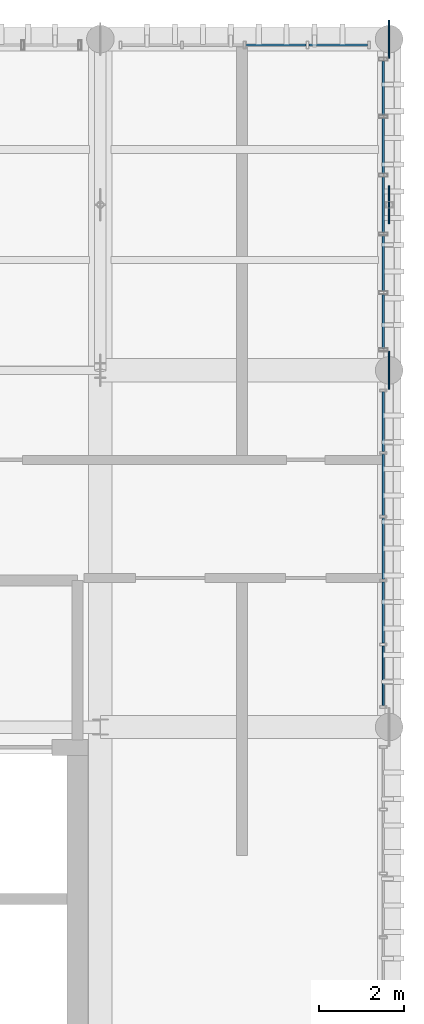
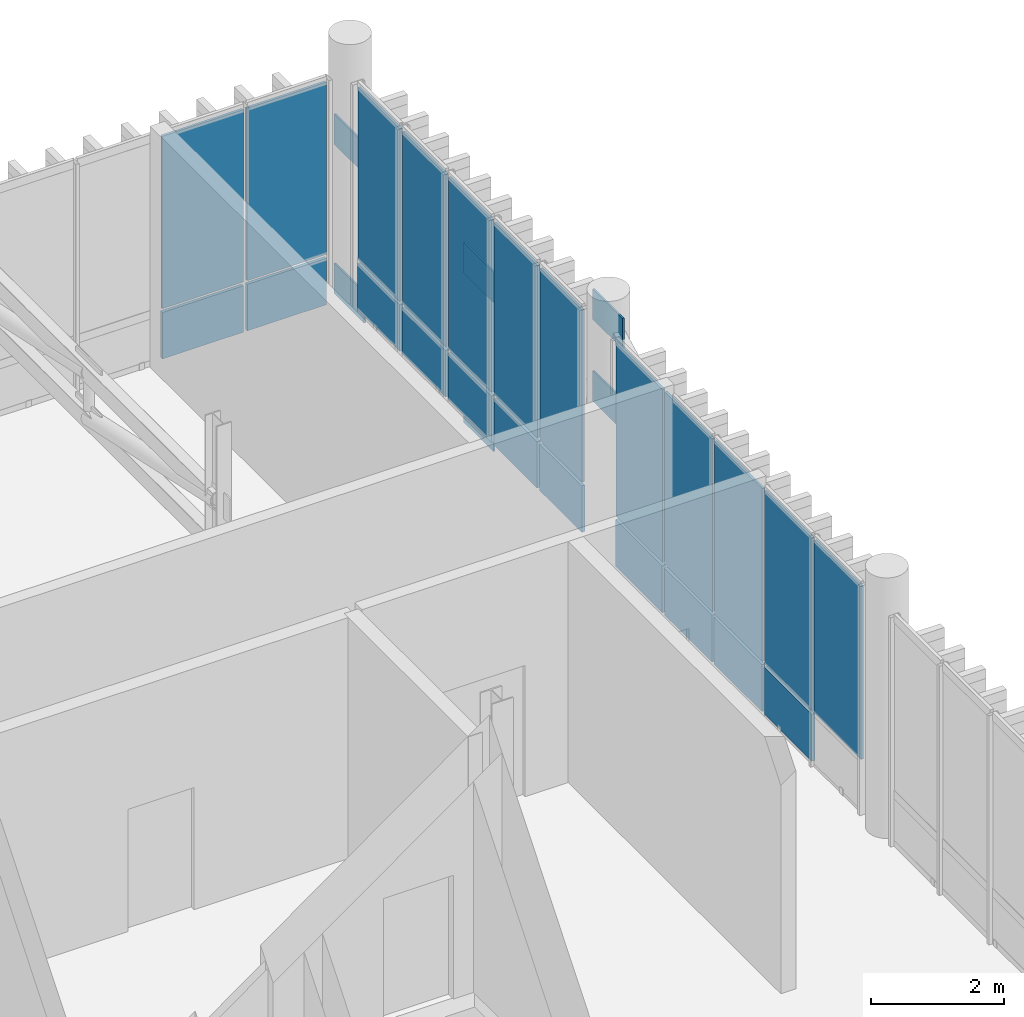
# One storey, part 67 of 81: 29 plates, 3 elements without a shape of their own.
"""IFC4 building model written with IfcOpenShell, lengths in metres."""

from ifc_helpers import new_model, si_unit, direction, frame, frame_2d, origin_with_axes, origin_2d_with_axis, place, context, subcontext, project, spatial, rectangle, extrude, material, layer, layer_set, type_object, element, aggregate, save


model = new_model("IFC4")

# Units and contexts
model_context = context("Model", 3, precision=1e-05, world=origin_with_axes(), true_north=direction((0.0, 1.0)))
body_context = subcontext(model_context, "Body", "Model", "MODEL_VIEW")
ifc_project = project(units=[si_unit("LENGTHUNIT", "METRE"), si_unit("AREAUNIT", "SQUARE_METRE"), si_unit("VOLUMEUNIT", "CUBIC_METRE"), si_unit("PLANEANGLEUNIT", "RADIAN"), si_unit("MASSUNIT", "GRAM", prefix="KILO"), si_unit("THERMODYNAMICTEMPERATUREUNIT", "KELVIN")], contexts=[model_context])

# Site, building, storey
site_placement = place(None, origin_with_axes())
site = spatial("IfcSite", under=ifc_project, at=site_placement, CompositionType="ELEMENT")
building_placement = place(site_placement, origin_with_axes())
building = spatial("IfcBuilding", under=site, at=building_placement, Name="Montbau Bow Law Courts", CompositionType="ELEMENT")
storey_placement = place(building_placement, frame((0.0, 0.0, 24.9), z_axis=(0.0, 0.0, 1.0), x_axis=(1.0, 0.0, 0.0)))
storey = spatial("IfcBuildingStorey", under=building, at=storey_placement, Name="L05", CompositionType="ELEMENT", Elevation=24.9)

# Curtain wall, plates
ifc_material_1 = material(Name="Thermally Broken Extruded Aluminium AA 6063-T6", Category="aluminium")
curtain_wall_type = type_object("IfcCurtainWallType", Name="CW-SLT-02", PredefinedType="NOTDEFINED", material=ifc_material_1)
curtain_wall_1_placement = place(None, frame((163.04, 110.86, 24.9), z_axis=(0.0, 0.0, 1.0), x_axis=(1.0, 0.0, 0.0)))
curtain_wall_1 = element("IfcCurtainWall", 1, at=curtain_wall_1_placement, inside=storey, type_object=curtain_wall_type, Name="CW-L05-340:cw_0340", PredefinedType="NOTDEFINED")
ifc_material_2 = material(Name="Triple-Glazed Low-E Argon Insulating Glass Unit", Category="glass")
ifc_layer_1 = layer(ifc_material_2, 0.044, Name="Curtain Panel", Category="glass")
ifc_layer_set_1 = layer_set([ifc_layer_1], Name="Triple-Glazed Low-E Argon Insulating Glass Unit")
plate_type_1 = type_object("IfcPlateType", Name="PL-CWP-01", PredefinedType="CURTAIN_PANEL", material=ifc_layer_set_1)
plate_1_placement = place(None, frame((166.034, 110.86, 25.882), z_axis=(0.0, -1.0, 0.0), x_axis=(1.0, 0.0, 0.0)))
plate_1 = element("IfcPlate", 2, at=plate_1_placement, type_object=plate_type_1, Name="CW-L05-340-P03-2:cw_0340_P03_2", PredefinedType="CURTAIN_PANEL", context=body_context, shape_type="SweptSolid", body=[
    extrude(rectangle(XDim=1.412, YDim=3.176, at=frame_2d((0.706, 1.588), x_axis=(1.0, 0.0))), frame((0.0, 0.0, -0.022), z_axis=(0.0, 0.0, 1.0), x_axis=(1.0, 0.0, 0.0)), (0.0, 0.0, 1.0), 0.044),
])
plate_2_placement = place(None, frame((167.514, 110.86, 25.882), z_axis=(0.0, -1.0, 0.0), x_axis=(1.0, 0.0, 0.0)))
plate_2 = element("IfcPlate", 3, at=plate_2_placement, type_object=plate_type_1, Name="CW-L05-340-P04-2:cw_0340_P04_2", PredefinedType="CURTAIN_PANEL", context=body_context, shape_type="SweptSolid", body=[
    extrude(rectangle(XDim=1.38, YDim=3.176, at=frame_2d((0.69, 1.588), x_axis=(1.0, 0.0))), frame((0.0, 0.0, -0.022), z_axis=(0.0, 0.0, 1.0), x_axis=(1.0, 0.0, 0.0)), (0.0, 0.0, 1.0), 0.044),
])

curtain_wall_2_placement = place(None, frame((169.26, 95.24, 24.9), z_axis=(0.0, 0.0, 1.0), x_axis=(1.0, 0.0, 0.0)))
curtain_wall_2 = element("IfcCurtainWall", 4, at=curtain_wall_2_placement, inside=storey, type_object=curtain_wall_type, Name="CW-L05-347:cw_0347", PredefinedType="NOTDEFINED")
plate_3_placement = place(None, frame((169.26, 95.302, 25.88), z_axis=(1.0, 0.0, 0.0), x_axis=(0.0, 1.0, 0.0)))
plate_3 = element("IfcPlate", 5, at=plate_3_placement, type_object=plate_type_1, Name="CW-L05-347-P01-2:cw_0347_P01_2", PredefinedType="CURTAIN_PANEL", context=body_context, shape_type="SweptSolid", body=[
    extrude(rectangle(XDim=1.41, YDim=3.184, at=frame_2d((0.705, 1.592), x_axis=(1.0, 0.0))), frame((0.0, 0.0, -0.022), z_axis=(0.0, 0.0, 1.0), x_axis=(1.0, 0.0, 0.0)), (0.0, 0.0, 1.0), 0.044),
])
plate_4_placement = place(None, frame((169.26, 96.776, 25.88), z_axis=(1.0, 0.0, 0.0), x_axis=(0.0, 1.0, 0.0)))
plate_4 = element("IfcPlate", 6, at=plate_4_placement, type_object=plate_type_1, Name="CW-L05-347-P02-2:cw_0347_P02_2", PredefinedType="CURTAIN_PANEL", context=body_context, shape_type="SweptSolid", body=[
    extrude(rectangle(XDim=1.44, YDim=3.184, at=frame_2d((0.72, 1.592), x_axis=(1.0, 0.0))), frame((0.0, 0.0, -0.022), z_axis=(0.0, 0.0, 1.0), x_axis=(1.0, 0.0, 0.0)), (0.0, 0.0, 1.0), 0.044),
])
plate_5_placement = place(None, frame((169.26, 98.28, 25.88), z_axis=(1.0, 0.0, 0.0), x_axis=(0.0, 1.0, 0.0)))
plate_5 = element("IfcPlate", 7, at=plate_5_placement, type_object=plate_type_1, Name="CW-L05-347-P03-2:cw_0347_P03_2", PredefinedType="CURTAIN_PANEL", context=body_context, shape_type="SweptSolid", body=[
    extrude(rectangle(XDim=1.44, YDim=3.184, at=frame_2d((0.72, 1.592), x_axis=(1.0, 0.0))), frame((0.0, 0.0, -0.022), z_axis=(0.0, 0.0, 1.0), x_axis=(1.0, 0.0, 0.0)), (0.0, 0.0, 1.0), 0.044),
])
plate_6_placement = place(None, frame((169.26, 99.784, 25.88), z_axis=(1.0, 0.0, 0.0), x_axis=(0.0, 1.0, 0.0)))
plate_6 = element("IfcPlate", 8, at=plate_6_placement, type_object=plate_type_1, Name="CW-L05-347-P04-2:cw_0347_P04_2", PredefinedType="CURTAIN_PANEL", context=body_context, shape_type="SweptSolid", body=[
    extrude(rectangle(XDim=1.44, YDim=3.184, at=frame_2d((0.72, 1.592), x_axis=(1.0, 0.0))), frame((0.0, 0.0, -0.022), z_axis=(0.0, 0.0, 1.0), x_axis=(1.0, 0.0, 0.0)), (0.0, 0.0, 1.0), 0.044),
])
plate_7_placement = place(None, frame((169.26, 101.288, 25.88), z_axis=(1.0, 0.0, 0.0), x_axis=(0.0, 1.0, 0.0)))
plate_7 = element("IfcPlate", 9, at=plate_7_placement, type_object=plate_type_1, Name="CW-L05-347-P05-2:cw_0347_P05_2", PredefinedType="CURTAIN_PANEL", context=body_context, shape_type="SweptSolid", body=[
    extrude(rectangle(XDim=1.41, YDim=3.184, at=frame_2d((0.705, 1.592), x_axis=(1.0, 0.0))), frame((0.0, 0.0, -0.022), z_axis=(0.0, 0.0, 1.0), x_axis=(1.0, 0.0, 0.0)), (0.0, 0.0, 1.0), 0.044),
])

curtain_wall_3_placement = place(None, frame((169.26, 103.64, 24.9), z_axis=(0.0, 0.0, 1.0), x_axis=(1.0, 0.0, 0.0)))
curtain_wall_3 = element("IfcCurtainWall", 10, at=curtain_wall_3_placement, inside=storey, type_object=curtain_wall_type, Name="CW-L05-348:cw_0348", PredefinedType="NOTDEFINED")
plate_8_placement = place(None, frame((169.26, 103.716, 25.882), z_axis=(1.0, 0.0, 0.0), x_axis=(0.0, 1.0, 0.0)))
plate_8 = element("IfcPlate", 11, at=plate_8_placement, type_object=plate_type_1, Name="CW-L05-348-P01-2:cw_0348_P01_2", PredefinedType="CURTAIN_PANEL", context=body_context, shape_type="SweptSolid", body=[
    extrude(rectangle(XDim=1.268, YDim=3.176, at=frame_2d((0.634, 1.588), x_axis=(1.0, 0.0))), frame((0.0, 0.0, -0.022), z_axis=(0.0, 0.0, 1.0), x_axis=(1.0, 0.0, 0.0)), (0.0, 0.0, 1.0), 0.044),
])
plate_9_placement = place(None, frame((169.26, 105.063, 25.882), z_axis=(1.0, 0.0, 0.0), x_axis=(0.0, 1.0, 0.0)))
plate_9 = element("IfcPlate", 12, at=plate_9_placement, type_object=plate_type_1, Name="CW-L05-348-P02-2:cw_0348_P02_2", PredefinedType="CURTAIN_PANEL", context=body_context, shape_type="SweptSolid", body=[
    extrude(rectangle(XDim=1.305, YDim=3.176, at=frame_2d((0.6525, 1.588), x_axis=(1.0, 0.0))), frame((0.0, 0.0, -0.022), z_axis=(0.0, 0.0, 1.0), x_axis=(1.0, 0.0, 0.0)), (0.0, 0.0, 1.0), 0.044),
])
plate_10_placement = place(None, frame((169.26, 106.447, 25.882), z_axis=(1.0, 0.0, 0.0), x_axis=(0.0, 1.0, 0.0)))
plate_10 = element("IfcPlate", 13, at=plate_10_placement, type_object=plate_type_1, Name="CW-L05-348-P03-2:cw_0348_P03_2", PredefinedType="CURTAIN_PANEL", context=body_context, shape_type="SweptSolid", body=[
    extrude(rectangle(XDim=1.306, YDim=3.176, at=frame_2d((0.653, 1.588), x_axis=(1.0, 0.0))), frame((0.0, 0.0, -0.022), z_axis=(0.0, 0.0, 1.0), x_axis=(1.0, 0.0, 0.0)), (0.0, 0.0, 1.0), 0.044),
])
plate_11_placement = place(None, frame((169.26, 107.831, 25.882), z_axis=(1.0, 0.0, 0.0), x_axis=(0.0, 1.0, 0.0)))
plate_11 = element("IfcPlate", 14, at=plate_11_placement, type_object=plate_type_1, Name="CW-L05-348-P04-2:cw_0348_P04_2", PredefinedType="CURTAIN_PANEL", context=body_context, shape_type="SweptSolid", body=[
    extrude(rectangle(XDim=1.306, YDim=3.176, at=frame_2d((0.653, 1.588), x_axis=(1.0, 0.0))), frame((0.0, 0.0, -0.022), z_axis=(0.0, 0.0, 1.0), x_axis=(1.0, 0.0, 0.0)), (0.0, 0.0, 1.0), 0.044),
])
plate_12_placement = place(None, frame((169.26, 109.215, 25.882), z_axis=(1.0, 0.0, 0.0), x_axis=(0.0, 1.0, 0.0)))
plate_12 = element("IfcPlate", 15, at=plate_12_placement, type_object=plate_type_1, Name="CW-L05-348-P05-2:cw_0348_P05_2", PredefinedType="CURTAIN_PANEL", context=body_context, shape_type="SweptSolid", body=[
    extrude(rectangle(XDim=1.269, YDim=3.176, at=frame_2d((0.6345, 1.588), x_axis=(1.0, 0.0))), frame((0.0, 0.0, -0.022), z_axis=(0.0, 0.0, 1.0), x_axis=(1.0, 0.0, 0.0)), (0.0, 0.0, 1.0), 0.044),
])

# Plate
ifc_material_3 = material(Name="Insulated Ceramic-Frit Spandrel Glazing Unit", Category="glass")
ifc_layer_2 = layer(ifc_material_3, 0.056, Name="Curtain Panel", Category="glass")
ifc_layer_set_2 = layer_set([ifc_layer_2], Name="Insulated Ceramic-Frit Spandrel Glazing Unit")
plate_type_2 = type_object("IfcPlateType", Name="PL-CWP-02", PredefinedType="CURTAIN_PANEL", material=ifc_layer_set_2)
plate_13_placement = place(None, frame((166.034, 110.86, 24.962), z_axis=(0.0, -1.0, 0.0), x_axis=(1.0, 0.0, 0.0)))
plate_13 = element("IfcPlate", 16, at=plate_13_placement, type_object=plate_type_2, Name="CW-L05-340-P03-1:cw_0340_P03_1", PredefinedType="CURTAIN_PANEL", context=body_context, shape_type="SweptSolid", body=[
    extrude(rectangle(XDim=1.412, YDim=0.856, at=frame_2d((0.706, 0.428), x_axis=(1.0, 0.0))), frame((0.0, 0.0, -0.028), z_axis=(0.0, 0.0, 1.0), x_axis=(1.0, 0.0, 0.0)), (0.0, 0.0, 1.0), 0.056),
])

plate_14_placement = place(None, frame((167.514, 110.86, 24.962), z_axis=(0.0, -1.0, 0.0), x_axis=(1.0, 0.0, 0.0)))
plate_14 = element("IfcPlate", 17, at=plate_14_placement, type_object=plate_type_2, Name="CW-L05-340-P04-1:cw_0340_P04_1", PredefinedType="CURTAIN_PANEL", context=body_context, shape_type="SweptSolid", body=[
    extrude(rectangle(XDim=1.38, YDim=0.856, at=frame_2d((0.69, 0.428), x_axis=(1.0, 0.0))), frame((0.0, 0.0, -0.028), z_axis=(0.0, 0.0, 1.0), x_axis=(1.0, 0.0, 0.0)), (0.0, 0.0, 1.0), 0.056),
])

aggregate(curtain_wall_1, [plate_13, plate_1, plate_14, plate_2])

plate_15_placement = place(None, frame((169.26, 96.776, 24.956), z_axis=(1.0, 0.0, 0.0), x_axis=(0.0, 1.0, 0.0)))
plate_15 = element("IfcPlate", 18, at=plate_15_placement, type_object=plate_type_2, Name="CW-L05-347-P02-1:cw_0347_P02_1", PredefinedType="CURTAIN_PANEL", context=body_context, shape_type="SweptSolid", body=[
    extrude(rectangle(XDim=1.44, YDim=0.865, at=frame_2d((0.72, 0.4325), x_axis=(1.0, 0.0))), frame((0.0, 0.0, -0.028), z_axis=(0.0, 0.0, 1.0), x_axis=(1.0, 0.0, 0.0)), (0.0, 0.0, 1.0), 0.056),
])

plate_16_placement = place(None, frame((169.26, 98.28, 24.956), z_axis=(1.0, 0.0, 0.0), x_axis=(0.0, 1.0, 0.0)))
plate_16 = element("IfcPlate", 19, at=plate_16_placement, type_object=plate_type_2, Name="CW-L05-347-P03-1:cw_0347_P03_1", PredefinedType="CURTAIN_PANEL", context=body_context, shape_type="SweptSolid", body=[
    extrude(rectangle(XDim=1.44, YDim=0.865, at=frame_2d((0.72, 0.4325), x_axis=(1.0, 0.0))), frame((0.0, 0.0, -0.028), z_axis=(0.0, 0.0, 1.0), x_axis=(1.0, 0.0, 0.0)), (0.0, 0.0, 1.0), 0.056),
])

plate_17_placement = place(None, frame((169.26, 99.784, 24.956), z_axis=(1.0, 0.0, 0.0), x_axis=(0.0, 1.0, 0.0)))
plate_17 = element("IfcPlate", 20, at=plate_17_placement, type_object=plate_type_2, Name="CW-L05-347-P04-1:cw_0347_P04_1", PredefinedType="CURTAIN_PANEL", context=body_context, shape_type="SweptSolid", body=[
    extrude(rectangle(XDim=1.44, YDim=0.865, at=frame_2d((0.72, 0.4325), x_axis=(1.0, 0.0))), frame((0.0, 0.0, -0.028), z_axis=(0.0, 0.0, 1.0), x_axis=(1.0, 0.0, 0.0)), (0.0, 0.0, 1.0), 0.056),
])

plate_18_placement = place(None, frame((169.26, 101.288, 24.956), z_axis=(1.0, 0.0, 0.0), x_axis=(0.0, 1.0, 0.0)))
plate_18 = element("IfcPlate", 21, at=plate_18_placement, type_object=plate_type_2, Name="CW-L05-347-P05-1:cw_0347_P05_1", PredefinedType="CURTAIN_PANEL", context=body_context, shape_type="SweptSolid", body=[
    extrude(rectangle(XDim=1.41, YDim=0.865, at=frame_2d((0.705, 0.4325), x_axis=(1.0, 0.0))), frame((0.0, 0.0, -0.028), z_axis=(0.0, 0.0, 1.0), x_axis=(1.0, 0.0, 0.0)), (0.0, 0.0, 1.0), 0.056),
])

aggregate(curtain_wall_2, [plate_3, plate_15, plate_4, plate_16, plate_5, plate_17, plate_6, plate_18, plate_7])

plate_19_placement = place(None, frame((169.26, 103.716, 24.962), z_axis=(1.0, 0.0, 0.0), x_axis=(0.0, 1.0, 0.0)))
plate_19 = element("IfcPlate", 22, at=plate_19_placement, type_object=plate_type_2, Name="CW-L05-348-P01-1:cw_0348_P01_1", PredefinedType="CURTAIN_PANEL", context=body_context, shape_type="SweptSolid", body=[
    extrude(rectangle(XDim=1.268, YDim=0.856, at=frame_2d((0.634, 0.428), x_axis=(1.0, 0.0))), frame((0.0, 0.0, -0.028), z_axis=(0.0, 0.0, 1.0), x_axis=(1.0, 0.0, 0.0)), (0.0, 0.0, 1.0), 0.056),
])

plate_20_placement = place(None, frame((169.26, 105.063, 24.962), z_axis=(1.0, 0.0, 0.0), x_axis=(0.0, 1.0, 0.0)))
plate_20 = element("IfcPlate", 23, at=plate_20_placement, type_object=plate_type_2, Name="CW-L05-348-P02-1:cw_0348_P02_1", PredefinedType="CURTAIN_PANEL", context=body_context, shape_type="SweptSolid", body=[
    extrude(rectangle(XDim=1.305, YDim=0.856, at=frame_2d((0.6525, 0.428), x_axis=(1.0, 0.0))), frame((0.0, 0.0, -0.028), z_axis=(0.0, 0.0, 1.0), x_axis=(1.0, 0.0, 0.0)), (0.0, 0.0, 1.0), 0.056),
])

plate_21_placement = place(None, frame((169.26, 106.447, 24.962), z_axis=(1.0, 0.0, 0.0), x_axis=(0.0, 1.0, 0.0)))
plate_21 = element("IfcPlate", 24, at=plate_21_placement, type_object=plate_type_2, Name="CW-L05-348-P03-1:cw_0348_P03_1", PredefinedType="CURTAIN_PANEL", context=body_context, shape_type="SweptSolid", body=[
    extrude(rectangle(XDim=1.306, YDim=0.856, at=frame_2d((0.653, 0.428), x_axis=(1.0, 0.0))), frame((0.0, 0.0, -0.028), z_axis=(0.0, 0.0, 1.0), x_axis=(1.0, 0.0, 0.0)), (0.0, 0.0, 1.0), 0.056),
])

plate_22_placement = place(None, frame((169.26, 107.831, 24.962), z_axis=(1.0, 0.0, 0.0), x_axis=(0.0, 1.0, 0.0)))
plate_22 = element("IfcPlate", 25, at=plate_22_placement, type_object=plate_type_2, Name="CW-L05-348-P04-1:cw_0348_P04_1", PredefinedType="CURTAIN_PANEL", context=body_context, shape_type="SweptSolid", body=[
    extrude(rectangle(XDim=1.306, YDim=0.856, at=frame_2d((0.653, 0.428), x_axis=(1.0, 0.0))), frame((0.0, 0.0, -0.028), z_axis=(0.0, 0.0, 1.0), x_axis=(1.0, 0.0, 0.0)), (0.0, 0.0, 1.0), 0.056),
])

plate_23_placement = place(None, frame((169.26, 109.215, 24.962), z_axis=(1.0, 0.0, 0.0), x_axis=(0.0, 1.0, 0.0)))
plate_23 = element("IfcPlate", 26, at=plate_23_placement, type_object=plate_type_2, Name="CW-L05-348-P05-1:cw_0348_P05_1", PredefinedType="CURTAIN_PANEL", context=body_context, shape_type="SweptSolid", body=[
    extrude(rectangle(XDim=1.269, YDim=0.856, at=frame_2d((0.6345, 0.428), x_axis=(1.0, 0.0))), frame((0.0, 0.0, -0.028), z_axis=(0.0, 0.0, 1.0), x_axis=(1.0, 0.0, 0.0)), (0.0, 0.0, 1.0), 0.056),
])

aggregate(curtain_wall_3, [plate_19, plate_8, plate_20, plate_9, plate_21, plate_10, plate_22, plate_11, plate_23, plate_12])

# Plates
ifc_material_4 = material(Name="Steel CSA G40.21 Grade 350WT (350 MPa)", Category="steel")
ifc_layer_3 = layer(ifc_material_4, 0.032, Name="Gusset Plate", Category="steel")
ifc_layer_set_3 = layer_set([ifc_layer_3], Name="Steel CSA G40.21 Grade 350WT (350 MPa)")
plate_type_3 = type_object("IfcPlateType", Name="PL-GUS-01", PredefinedType="USERDEFINED", material=ifc_layer_set_3)
for number, where, z_axis, x_axis, name in (
    (27, (169.4, 103.2, 27.37), (0.0, 0.0, 1.0), (0.0, 1.0, 0.0), "BGP-L05-066:plt_0097"),
    (28, (169.4, 107.1, 24.62), (0.0, 0.0, 1.0), (0.0, 1.0, 0.0), "BGP-L05-067:plt_0098"),
    (29, (169.4, 107.1, 27.37), (0.0, 0.0, 1.0), (0.0, 1.0, 0.0), "BGP-L05-068:plt_0099"),
    (30, (169.4, 111.0, 24.62), (0.0, 0.0, 1.0), (0.0, 1.0, 0.0), "BGP-L05-069:plt_0100"),
    (31, (169.4, 111.0, 27.37), (0.0, 0.0, 1.0), (0.0, 1.0, 0.0), "BGP-L05-070:plt_0101"),
    (32, (169.4, 103.2, 28.877), (0.0, 0.0, 1.0), (0.0, 1.0, 0.0), "BGP-L05-173:plt_0204"),
):
    element("IfcPlate", number, at=place(None, frame(where, z_axis=z_axis, x_axis=x_axis)), inside=storey, type_object=plate_type_3, Name=name, ObjectType="GUSSET_PLATE", PredefinedType="USERDEFINED", context=body_context, shape_type="SweptSolid", body=[
        extrude(rectangle(XDim=0.9, YDim=0.032, at=origin_2d_with_axis()), origin_with_axes(), (0.0, 0.0, 1.0), 0.56),
    ])

save(model, "model.ifc")
